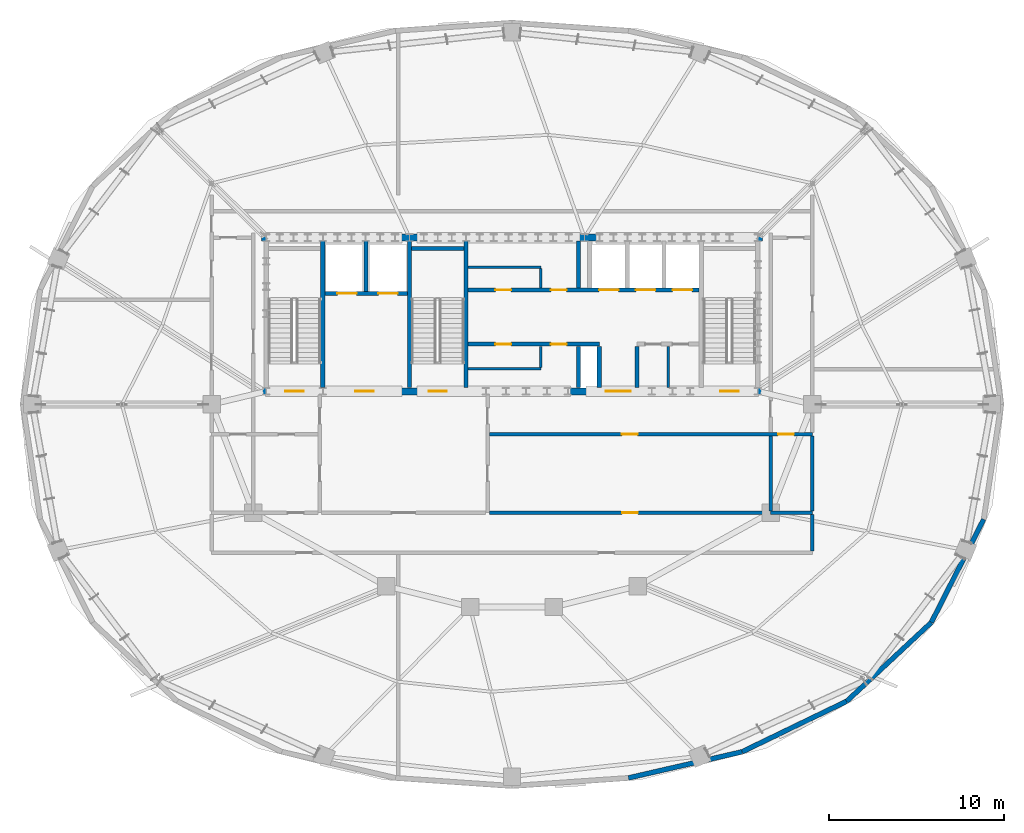
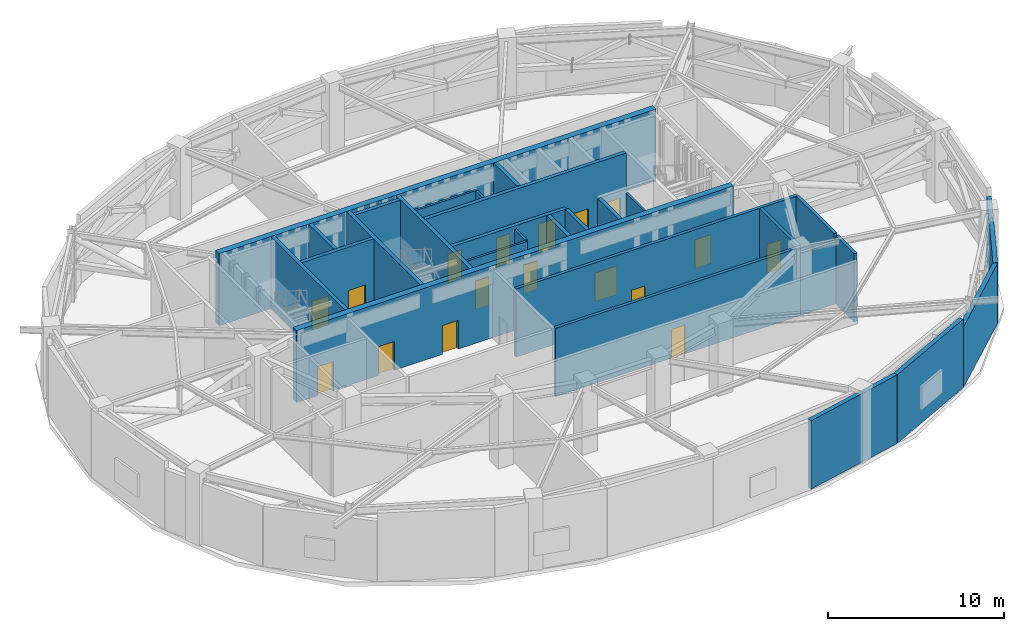
# One storey, part 15 of 20: 29 walls, 17 doors, 17 openings.
"""IFC4 building model written with IfcOpenShell, lengths in metres."""

from ifc_helpers import new_model, si_unit, direction, frame, frame_2d, origin, place, context, subcontext, project, spatial, rectangle, extrude, material, layer, layer_set, type_object, element, fill, save


model = new_model("IFC4")

# Units and contexts
model_context = context("Model", 3, precision=1e-05, world=origin(), true_north=direction((0.0, 1.0)))
body_context = subcontext(model_context, "Body", "Model", "MODEL_VIEW")
ifc_project = project(units=[si_unit("LENGTHUNIT", "METRE"), si_unit("AREAUNIT", "SQUARE_METRE"), si_unit("VOLUMEUNIT", "CUBIC_METRE"), si_unit("PLANEANGLEUNIT", "RADIAN"), si_unit("MASSUNIT", "GRAM", prefix="KILO")], contexts=[model_context])

# Site, building, storey
site_placement = place(None, origin())
site = spatial("IfcSite", under=ifc_project, at=site_placement, CompositionType="ELEMENT")
building_placement = place(site_placement, origin())
building = spatial("IfcBuilding", under=site, at=building_placement, Name="Haldorwick Loom Tower", CompositionType="ELEMENT")
storey_placement = place(building_placement, frame((0.0, 0.0, 222.10009765625)))
storey = spatial("IfcBuildingStorey", under=building, at=storey_placement, Name="L60", CompositionType="ELEMENT", Elevation=222.10009765625)

# Walls
ifc_material_1 = material(Name="Pressed Clay Face Brick and Insulated Masonry Backup Assembly", Category="masonry")
ifc_layer_1 = layer(ifc_material_1, 0.280029296875, Name="Pressed Clay Face Brick and Insulated Masonry Backup Assembly", Category="masonry")
ifc_layer_set_1 = layer_set([ifc_layer_1], Name="Pressed Clay Face Brick and Insulated Masonry Backup Assembly")
wall_type_1 = type_object("IfcWallType", Name="ARC-WL-EXT280", PredefinedType="STANDARD", material=ifc_layer_set_1)
wall_1_placement = place(storey_placement, frame((42.665283203125, 4.61279296875, 0.0), z_axis=(0.0, 0.0, 1.0), x_axis=(0.974557343474, 0.224138315065, 0.0)))
element("IfcWall", 1, at=wall_1_placement, inside=storey, type_object=wall_type_1, Name="L60 Brick Pier and Spandrel Wall 20", PredefinedType="STANDARD", context=body_context, shape_type="SweptSolid", body=[
    extrude(rectangle(XDim=6.676025390625, YDim=0.280029296875, at=frame_2d((3.337890625, 0.0))), origin(), (0.0, 0.0, 1.0), 4.760009765625),
])
wall_2_placement = place(storey_placement, frame((49.17138671875, 6.109130859375, 0.0), z_axis=(0.0, 0.0, 1.0), x_axis=(0.900371236029, 0.435122554381, 0.0)))
element("IfcWall", 2, at=wall_2_placement, inside=storey, type_object=wall_type_1, Name="L60 Brick Pier and Spandrel Wall 21", PredefinedType="STANDARD", context=body_context, shape_type="SweptSolid", body=[
    extrude(rectangle(XDim=6.6533203125, YDim=0.280029296875, at=frame_2d((3.32666015625, 0.0))), origin(), (0.0, 0.0, 1.0), 4.760009765625),
])
wall_3_placement = place(storey_placement, frame((55.161865234375, 9.004150390625, 0.0), z_axis=(0.0, 0.0, 1.0), x_axis=(0.731833707499, 0.681483253329, 0.0)))
element("IfcWall", 3, at=wall_3_placement, inside=storey, type_object=wall_type_1, Name="L60 Brick Pier and Spandrel Wall 22", PredefinedType="STANDARD", context=body_context, shape_type="SweptSolid", body=[
    extrude(rectangle(XDim=6.61865234375, YDim=0.280029296875, at=frame_2d((3.309326171875, 0.0))), origin(), (0.0, 0.0, 1.0), 4.19091796875),
])
wall_4_placement = place(storey_placement, frame((60.005615234375, 13.5146484375, 0.0), z_axis=(0.0, 0.0, 1.0), x_axis=(0.453032066879, 0.89149422117, 0.0)))
element("IfcWall", 4, at=wall_4_placement, inside=storey, type_object=wall_type_1, Name="L60 Brick Pier and Spandrel Wall 23", PredefinedType="STANDARD", context=body_context, shape_type="SweptSolid", body=[
    extrude(rectangle(XDim=6.618896484375, YDim=0.280029296875, at=frame_2d((3.3095703125, 0.0))), origin(), (0.0, 0.0, 1.0), 4.19091796875),
])

# Wall, openings, doors
ifc_material_2 = material(Name="Fire-Rated Type X Gypsum Stud Assembly EI 120")
ifc_layer_2 = layer(ifc_material_2, 0.199951171875, Name="Fire-Rated Type X Gypsum Stud Assembly EI 120")
ifc_layer_set_2 = layer_set([ifc_layer_2], Name="Fire-Rated Type X Gypsum Stud Assembly EI 120")
wall_type_2 = type_object("IfcWallType", Name="ARC-WL-FIRE200", PredefinedType="PARTITIONING", material=ifc_layer_set_2)
wall_5_placement = place(storey_placement, frame((34.702880859375, 24.300048828125, 0.0), z_axis=(0.0, 0.0, 1.0), x_axis=(1.0, 0.0, 0.0)))
wall_5 = element("IfcWall", 5, at=wall_5_placement, inside=storey, type_object=wall_type_2, Name="L60 Interior Partition L60-PC-S2", PredefinedType="PARTITIONING", context=body_context, shape_type="SweptSolid", body=[
    extrude(rectangle(XDim=18.4970703125, YDim=0.199951171875, at=frame_2d((9.24853515625, 0.0))), origin(), (0.0, 0.0, 1.0), 4.744873046875),
])
opening_1_placement = place(wall_5_placement, frame((7.58740234375, 0.0, 0.0)))
opening_1 = element("IfcOpeningElement", 6, at=opening_1_placement, cuts=wall_5, Name="Opening D-FD60A", PredefinedType="OPENING", context=body_context, shape_type="SweptSolid", body=[
    extrude(rectangle(XDim=0.89990234375, YDim=2.0, at=frame_2d((0.449951171875, 1.0))), frame((0.0, 0.10986328125, 0.0), z_axis=(0.0, -1.0, 0.0), x_axis=(1.0, 0.0, 0.0)), (0.0, 0.0, 1.0), 0.219970703125),
])
opening_2_placement = place(wall_5_placement, frame((16.53564453125, 0.0, 0.0)))
opening_2 = element("IfcOpeningElement", 7, at=opening_2_placement, cuts=wall_5, Name="Opening D-FD60A", PredefinedType="OPENING", context=body_context, shape_type="SweptSolid", body=[
    extrude(rectangle(XDim=0.89990234375, YDim=2.0, at=frame_2d((0.449951171875, 1.0))), frame((0.0, 0.10986328125, 0.0), z_axis=(0.0, -1.0, 0.0), x_axis=(1.0, 0.0, 0.0)), (0.0, 0.0, 1.0), 0.219970703125),
])
ifc_material_3 = material(Name="Hollow Steel Fire Door Assembly", Category="steel")
door_type_1 = type_object("IfcDoorType", Name="ARC-DR-FD60-90", OperationType="NOTDEFINED", PredefinedType="DOOR", material=ifc_material_3)
door_1_placement = place(opening_1_placement, origin())
door_1 = element("IfcDoor", 8, at=door_1_placement, inside=storey, type_object=door_type_1, Name="L60 East Plant Exit Corridor to Electrical Transformer Room 6 Door", OperationType="SINGLE_SWING_RIGHT", OverallHeight=2.0, OverallWidth=0.89990234375, PredefinedType="DOOR", context=body_context, shape_type="SweptSolid", body=[
    extrude(rectangle(XDim=0.89990234375, YDim=2.0, at=frame_2d((0.449951171875, 1.0))), frame((0.0, 0.02490234375, 0.0), z_axis=(0.0, -1.0, 0.0), x_axis=(1.0, 0.0, 0.0)), (0.0, 0.0, 1.0), 0.050048828125),
])
fill(opening_1, door_1)
door_2_placement = place(opening_2_placement, origin())
door_2 = element("IfcDoor", 9, at=door_2_placement, inside=storey, type_object=door_type_1, Name="L60 East Mechanical Corridor to Pump and Tank Plant 7 Door", OperationType="SINGLE_SWING_RIGHT", OverallHeight=2.0, OverallWidth=0.89990234375, PredefinedType="DOOR", context=body_context, shape_type="SweptSolid", body=[
    extrude(rectangle(XDim=0.89990234375, YDim=2.0, at=frame_2d((0.449951171875, 1.0))), frame((0.0, 0.02490234375, 0.0), z_axis=(0.0, -1.0, 0.0), x_axis=(1.0, 0.0, 0.0)), (0.0, 0.0, 1.0), 0.050048828125),
])
fill(opening_2, door_2)

# Wall
wall_6_placement = place(storey_placement, frame((50.800048828125, 19.800048828125, 0.0), z_axis=(0.0, 0.0, 1.0), x_axis=(1.0, 0.0, 0.0)))
element("IfcWall", 10, at=wall_6_placement, inside=storey, type_object=wall_type_2, Name="L60 Interior Partition L60-PC-S4E", PredefinedType="PARTITIONING", context=body_context, shape_type="SweptSolid", body=[
    extrude(rectangle(XDim=2.39990234375, YDim=0.199951171875, at=frame_2d((1.199951171875, 0.0))), origin(), (0.0, 0.0, 1.0), 4.322021484375),
])

# Wall, opening, door
wall_7_placement = place(storey_placement, frame((34.702880859375, 19.800048828125, 0.0), z_axis=(0.0, 0.0, 1.0), x_axis=(1.0, 0.0, 0.0)))
wall_7 = element("IfcWall", 11, at=wall_7_placement, inside=storey, type_object=wall_type_2, Name="L60 Interior Partition L60-PC-S4", PredefinedType="PARTITIONING", context=body_context, shape_type="SweptSolid", body=[
    extrude(rectangle(XDim=16.09716796875, YDim=0.199951171875, at=frame_2d((8.048583984375, 0.0))), origin(), (0.0, 0.0, 1.0), 4.744873046875),
])
opening_3_placement = place(wall_7_placement, frame((7.598388671875, 0.0, 0.0)))
opening_3 = element("IfcOpeningElement", 12, at=opening_3_placement, cuts=wall_7, Name="Opening D-FD60A", PredefinedType="OPENING", context=body_context, shape_type="SweptSolid", body=[
    extrude(rectangle(XDim=0.89990234375, YDim=2.0, at=frame_2d((0.449951171875, 1.0))), frame((0.0, 0.10986328125, 0.0), z_axis=(0.0, -1.0, 0.0), x_axis=(1.0, 0.0, 0.0)), (0.0, 0.0, 1.0), 0.219970703125),
])
door_3_placement = place(opening_3_placement, frame((0.89990234375, 0.0, 0.0), z_axis=(0.0, 0.0, 1.0), x_axis=(-1.0, 0.0, 0.0)))
door_3 = element("IfcDoor", 13, at=door_3_placement, inside=storey, type_object=door_type_1, Name="L60 Electrical Transformer Room 6 to South Plant Service Corridor Door", OperationType="SINGLE_SWING_LEFT", OverallHeight=2.0, OverallWidth=0.89990234375, PredefinedType="DOOR", context=body_context, shape_type="SweptSolid", body=[
    extrude(rectangle(XDim=0.89990234375, YDim=2.0, at=frame_2d((0.449951171875, 1.0))), frame((0.0, 0.02490234375, 0.0), z_axis=(0.0, -1.0, 0.0), x_axis=(1.0, 0.0, 0.0)), (0.0, 0.0, 1.0), 0.050048828125),
])
fill(opening_3, door_3)

# Walls
wall_8_placement = place(storey_placement, frame((53.199951171875, 17.60302734375, 0.0), z_axis=(0.0, 0.0, 1.0), x_axis=(0.0, 1.0, 0.0)))
element("IfcWall", 14, at=wall_8_placement, inside=storey, type_object=wall_type_2, Name="L60 Interior Partition L60-PC-E1", PredefinedType="PARTITIONING", context=body_context, shape_type="SweptSolid", body=[
    extrude(rectangle(XDim=2.093994140625, YDim=0.199951171875, at=frame_2d((1.046875, 0.0))), origin(), (0.0, 0.0, 1.0), 4.744873046875),
])
for number, where, z_axis, x_axis, name in (
    (15, (53.199951171875, 19.903076171875, 0.0), (0.0, 0.0, 1.0), (0.0, 1.0, 0.0), "L60 Interior Partition L60-PC-E1"),
    (16, (50.800048828125, 19.903076171875, 0.0), (0.0, 0.0, 1.0), (0.0, 1.0, 0.0), "L60 Interior Partition L60-PC-E2"),
):
    element("IfcWall", number, at=place(storey_placement, frame(where, z_axis=z_axis, x_axis=x_axis)), inside=storey, type_object=wall_type_2, Name=name, PredefinedType="PARTITIONING", context=body_context, shape_type="SweptSolid", body=[
        extrude(rectangle(XDim=4.2939453125, YDim=0.199951171875, at=frame_2d((2.14697265625, 0.0))), origin(), (0.0, 0.0, 1.0), 4.744873046875),
    ])
ifc_material_4 = material(Name="Fire-Rated Type X Gypsum Stud Assembly EI 60")
ifc_layer_3 = layer(ifc_material_4, 0.139892578125, Name="Fire-Rated Type X Gypsum Stud Assembly EI 60")
ifc_layer_set_3 = layer_set([ifc_layer_3], Name="Fire-Rated Type X Gypsum Stud Assembly EI 60")
wall_type_3 = type_object("IfcWallType", Name="ARC-WL-PART140", PredefinedType="PARTITIONING", material=ifc_layer_set_3)
wall_9_placement = place(storey_placement, frame((33.492919921875, 33.85009765625, 0.0), z_axis=(0.0, 0.0, 1.0), x_axis=(1.0, 0.0, 0.0)))
element("IfcWall", 17, at=wall_9_placement, inside=storey, type_object=wall_type_3, Name="L60 Storage South Partition", PredefinedType="PARTITIONING", context=body_context, shape_type="SweptSolid", body=[
    extrude(rectangle(XDim=4.156982421875, YDim=0.139892578125, at=frame_2d((2.07861328125, 0.0))), origin(), (0.0, 0.0, 1.0), 4.744873046875),
])
wall_10_placement = place(storey_placement, frame((37.64990234375, 32.673095703125, 0.0), z_axis=(0.0, 0.0, 1.0), x_axis=(0.0, 1.0, 0.0)))
element("IfcWall", 18, at=wall_10_placement, inside=storey, type_object=wall_type_3, Name="L60 Storage East Partition", PredefinedType="PARTITIONING", context=body_context, shape_type="SweptSolid", body=[
    extrude(rectangle(XDim=1.10400390625, YDim=0.139892578125, at=frame_2d((0.552001953125, 0.0))), origin(), (0.0, 0.0, 1.0), 4.744873046875),
])
wall_11_placement = place(storey_placement, frame((33.492919921875, 28.050048828125, 0.0), z_axis=(0.0, 0.0, 1.0), x_axis=(1.0, 0.0, 0.0)))
element("IfcWall", 19, at=wall_11_placement, inside=storey, type_object=wall_type_3, Name="L60 Mid-Bank North Partition", PredefinedType="PARTITIONING", context=body_context, shape_type="SweptSolid", body=[
    extrude(rectangle(XDim=4.156982421875, YDim=0.139892578125, at=frame_2d((2.07861328125, 0.0))), origin(), (0.0, 0.0, 1.0), 4.744873046875),
])
wall_12_placement = place(storey_placement, frame((37.64990234375, 28.123046875, 0.0), z_axis=(0.0, 0.0, 1.0), x_axis=(0.0, 1.0, 0.0)))
element("IfcWall", 20, at=wall_12_placement, inside=storey, type_object=wall_type_3, Name="L60 Mid-Bank East Partition", PredefinedType="PARTITIONING", context=body_context, shape_type="SweptSolid", body=[
    extrude(rectangle(XDim=1.203857421875, YDim=0.139892578125, at=frame_2d((0.60205078125, 0.0))), origin(), (0.0, 0.0, 1.0), 4.744873046875),
])
wall_13_placement = place(storey_placement, frame((44.949951171875, 26.952880859375, 0.0), z_axis=(0.0, 0.0, 1.0), x_axis=(0.0, 1.0, 0.0)))
element("IfcWall", 21, at=wall_13_placement, inside=storey, type_object=wall_type_3, Name="L60 Service Partition", PredefinedType="PARTITIONING", context=body_context, shape_type="SweptSolid", body=[
    extrude(rectangle(XDim=2.3740234375, YDim=0.139892578125, at=frame_2d((1.18701171875, 0.0))), origin(), (0.0, 0.0, 1.0), 4.744873046875),
])

# Wall, openings, doors
ifc_material_5 = material(Name="Concrete C50 (50 MPa)", Category="concrete")
ifc_layer_4 = layer(ifc_material_5, 0.39990234375, Name="Concrete C50 (50 MPa)", Category="concrete")
ifc_layer_set_4 = layer_set([ifc_layer_4], Name="Concrete C50 (50 MPa)")
wall_type_4 = type_object("IfcWallType", Name="STR-WL-CORE400", PredefinedType="SHEAR", material=ifc_layer_set_4)
wall_14_placement = place(storey_placement, frame((21.64990234375, 26.75, 0.0), z_axis=(0.0, 0.0, 1.0), x_axis=(1.0, 0.0, 0.0)))
wall_14 = element("IfcWall", 22, at=wall_14_placement, inside=storey, type_object=wall_type_4, Name="L60 Core Shear Wall S", PredefinedType="SHEAR", context=body_context, shape_type="SweptSolid", body=[
    extrude(rectangle(XDim=28.7001953125, YDim=0.39990234375, at=frame_2d((14.35009765625, 0.0))), origin(), (0.0, 0.0, 1.0), 5.0),
])
opening_4_placement = place(wall_14_placement, frame((1.375, 0.0, 0.0)))
opening_4 = element("IfcOpeningElement", 23, at=opening_4_placement, cuts=wall_14, Name="Opening D-FD60", PredefinedType="OPENING", context=body_context, shape_type="SweptSolid", body=[
    extrude(rectangle(XDim=1.050048828125, YDim=2.0, at=frame_2d((0.52490234375, 1.0))), frame((0.0, 0.2099609375, 0.0), z_axis=(0.0, -1.0, 0.0), x_axis=(1.0, 0.0, 0.0)), (0.0, 0.0, 1.0), 0.419921875),
])
opening_5_placement = place(wall_14_placement, frame((5.375, 0.0, 0.0)))
opening_5 = element("IfcOpeningElement", 24, at=opening_5_placement, cuts=wall_14, Name="Opening D-FD60", PredefinedType="OPENING", context=body_context, shape_type="SweptSolid", body=[
    extrude(rectangle(XDim=1.050048828125, YDim=2.0, at=frame_2d((0.52490234375, 1.0))), frame((0.0, 0.2099609375, 0.0), z_axis=(0.0, -1.0, 0.0), x_axis=(1.0, 0.0, 0.0)), (0.0, 0.0, 1.0), 0.419921875),
])
opening_6_placement = place(wall_14_placement, frame((9.574951171875, 0.0, 0.0)))
opening_6 = element("IfcOpeningElement", 25, at=opening_6_placement, cuts=wall_14, Name="Opening D-FD60", PredefinedType="OPENING", context=body_context, shape_type="SweptSolid", body=[
    extrude(rectangle(XDim=1.050048828125, YDim=2.0, at=frame_2d((0.52490234375, 1.0))), frame((0.0, 0.2099609375, 0.0), z_axis=(0.0, -1.0, 0.0), x_axis=(1.0, 0.0, 0.0)), (0.0, 0.0, 1.0), 0.419921875),
])
opening_7_placement = place(wall_14_placement, frame((19.705078125, 0.0, 0.0)))
opening_7 = element("IfcOpeningElement", 26, at=opening_7_placement, cuts=wall_14, Name="Opening D-LB15", PredefinedType="OPENING", context=body_context, shape_type="SweptSolid", body=[
    extrude(rectangle(XDim=1.449951171875, YDim=2.0, at=frame_2d((0.72509765625, 1.0))), frame((0.0, 0.2099609375, 0.0), z_axis=(0.0, -1.0, 0.0), x_axis=(1.0, 0.0, 0.0)), (0.0, 0.0, 1.0), 0.419921875),
])
opening_8_placement = place(wall_14_placement, frame((26.27490234375, 0.0, 0.0)))
opening_8 = element("IfcOpeningElement", 27, at=opening_8_placement, cuts=wall_14, Name="Opening D-FD60", PredefinedType="OPENING", context=body_context, shape_type="SweptSolid", body=[
    extrude(rectangle(XDim=1.050048828125, YDim=2.0, at=frame_2d((0.52490234375, 1.0))), frame((0.0, 0.2099609375, 0.0), z_axis=(0.0, -1.0, 0.0), x_axis=(1.0, 0.0, 0.0)), (0.0, 0.0, 1.0), 0.419921875),
])
door_type_2 = type_object("IfcDoorType", Name="ARC-DR-FD60", OperationType="NOTDEFINED", PredefinedType="DOOR", material=ifc_material_3)
door_4_placement = place(opening_4_placement, origin())
door_4 = element("IfcDoor", 28, at=door_4_placement, inside=storey, type_object=door_type_2, Name="L60 Exit Stair ST-01 Fire Door", OperationType="SINGLE_SWING_RIGHT", OverallHeight=2.0, OverallWidth=1.050048828125, PredefinedType="DOOR", context=body_context, shape_type="SweptSolid", body=[
    extrude(rectangle(XDim=1.050048828125, YDim=2.0, at=frame_2d((0.52490234375, 1.0))), frame((0.0, 0.02490234375, 0.0), z_axis=(0.0, -1.0, 0.0), x_axis=(1.0, 0.0, 0.0)), (0.0, 0.0, 1.0), 0.050048828125),
])
fill(opening_4, door_4)
door_5_placement = place(opening_5_placement, origin())
door_5 = element("IfcDoor", 29, at=door_5_placement, inside=storey, type_object=door_type_2, Name="L60 Firefighting Lift Lobby Fire Door", OperationType="SINGLE_SWING_LEFT", OverallHeight=2.0, OverallWidth=1.050048828125, PredefinedType="DOOR", context=body_context, shape_type="SweptSolid", body=[
    extrude(rectangle(XDim=1.050048828125, YDim=2.0, at=frame_2d((0.52490234375, 1.0))), frame((0.0, 0.02490234375, 0.0), z_axis=(0.0, -1.0, 0.0), x_axis=(1.0, 0.0, 0.0)), (0.0, 0.0, 1.0), 0.050048828125),
])
fill(opening_5, door_5)
door_6_placement = place(opening_6_placement, origin())
door_6 = element("IfcDoor", 30, at=door_6_placement, inside=storey, type_object=door_type_2, Name="L60 Exit Stair ST-03 Fire Door", OperationType="SINGLE_SWING_LEFT", OverallHeight=2.0, OverallWidth=1.050048828125, PredefinedType="DOOR", context=body_context, shape_type="SweptSolid", body=[
    extrude(rectangle(XDim=1.050048828125, YDim=2.0, at=frame_2d((0.52490234375, 1.0))), frame((0.0, 0.02490234375, 0.0), z_axis=(0.0, -1.0, 0.0), x_axis=(1.0, 0.0, 0.0)), (0.0, 0.0, 1.0), 0.050048828125),
])
fill(opening_6, door_6)
door_7_placement = place(opening_8_placement, origin())
door_7 = element("IfcDoor", 31, at=door_7_placement, inside=storey, type_object=door_type_2, Name="L60 Exit Stair ST-02 Fire Door", OperationType="SINGLE_SWING_LEFT", OverallHeight=2.0, OverallWidth=1.050048828125, PredefinedType="DOOR", context=body_context, shape_type="SweptSolid", body=[
    extrude(rectangle(XDim=1.050048828125, YDim=2.0, at=frame_2d((0.52490234375, 1.0))), frame((0.0, 0.02490234375, 0.0), z_axis=(0.0, -1.0, 0.0), x_axis=(1.0, 0.0, 0.0)), (0.0, 0.0, 1.0), 0.050048828125),
])
fill(opening_8, door_7)
ifc_material_6 = material(Name="Thermally Broken Anodized Aluminium and Tempered Glass", Category="aluminium")
door_type_3 = type_object("IfcDoorType", Name="ARC-DR-LOB150", OperationType="NOTDEFINED", PredefinedType="DOOR", material=ifc_material_6)
door_8_placement = place(opening_7_placement, frame((1.449951171875, 0.0, 0.0), z_axis=(0.0, 0.0, 1.0), x_axis=(-1.0, 0.0, 0.0)))
door_8 = element("IfcDoor", 32, at=door_8_placement, inside=storey, type_object=door_type_3, Name="L60 Passenger Lift Lobby Fire Door", OperationType="DOUBLE_DOOR_SINGLE_SWING", OverallHeight=2.0, OverallWidth=1.449951171875, PredefinedType="DOOR", context=body_context, shape_type="SweptSolid", body=[
    extrude(rectangle(XDim=1.449951171875, YDim=2.0, at=frame_2d((0.72509765625, 1.0))), frame((0.0, 0.02490234375, 0.0), z_axis=(0.0, -1.0, 0.0), x_axis=(1.0, 0.0, 0.0)), (0.0, 0.0, 1.0), 0.050048828125),
])
fill(opening_7, door_8)

# Walls
wall_15_placement = place(storey_placement, frame((50.35009765625, 35.550048828125, 0.0), z_axis=(0.0, 0.0, 1.0), x_axis=(-1.0, 0.0, 0.0)))
element("IfcWall", 33, at=wall_15_placement, inside=storey, type_object=wall_type_4, Name="L60 Core Shear Wall N", PredefinedType="SHEAR", context=body_context, shape_type="SweptSolid", body=[
    extrude(rectangle(XDim=28.7001953125, YDim=0.39990234375, at=frame_2d((14.35009765625, 0.0))), origin(), (0.0, 0.0, 1.0), 5.0),
])
ifc_layer_5 = layer(ifc_material_5, 0.239990234375, Name="Concrete C50 (50 MPa)", Category="concrete")
ifc_layer_set_5 = layer_set([ifc_layer_5], Name="Concrete C50 (50 MPa)")
wall_type_5 = type_object("IfcWallType", Name="STR-WL-SHAFT240", PredefinedType="SHEAR", material=ifc_layer_set_5)
for number, where, z_axis, x_axis, name in (
    (34, (25.169921875, 26.952880859375, 0.0), (0.0, 0.0, 1.0), (0.0, 1.0, 0.0), "L60 Core Shear Wall 1"),
    (35, (30.1298828125, 26.952880859375, 0.0), (0.0, 0.0, 1.0), (0.0, 1.0, 0.0), "L60 Core Shear Wall 2"),
    (36, (33.3701171875, 26.952880859375, 0.0), (0.0, 0.0, 1.0), (0.0, 1.0, 0.0), "L60 Core Shear Wall 3"),
):
    element("IfcWall", number, at=place(storey_placement, frame(where, z_axis=z_axis, x_axis=x_axis)), inside=storey, type_object=wall_type_5, Name=name, PredefinedType="SHEAR", context=body_context, shape_type="SweptSolid", body=[
        extrude(rectangle(XDim=8.39404296875, YDim=0.239990234375, at=frame_2d((4.197021484375, 0.0))), origin(), (0.0, 0.0, 1.0), 5.0),
    ])
wall_16_placement = place(storey_placement, frame((30.2529296875, 34.919921875, 0.0), z_axis=(0.0, 0.0, 1.0), x_axis=(1.0, 0.0, 0.0)))
element("IfcWall", 37, at=wall_16_placement, inside=storey, type_object=wall_type_5, Name="L60 Core Shear Wall 3N", PredefinedType="SHEAR", context=body_context, shape_type="SweptSolid", body=[
    extrude(rectangle(XDim=2.994140625, YDim=0.239990234375, at=frame_2d((1.4970703125, 0.0))), origin(), (0.0, 0.0, 1.0), 5.0),
])

# Wall, openings, doors
wall_17_placement = place(storey_placement, frame((25.29296875, 32.35009765625, 0.0), z_axis=(0.0, 0.0, 1.0), x_axis=(1.0, 0.0, 0.0)))
wall_17 = element("IfcWall", 38, at=wall_17_placement, inside=storey, type_object=wall_type_5, Name="L60 Core Shear Wall FF", PredefinedType="SHEAR", context=body_context, shape_type="SweptSolid", body=[
    extrude(rectangle(XDim=4.714111328125, YDim=0.239990234375, at=frame_2d((2.35693359375, 0.0))), origin(), (0.0, 0.0, 1.0), 5.0),
])
opening_9_placement = place(wall_17_placement, frame((0.70703125, 0.0, 0.0)))
opening_9 = element("IfcOpeningElement", 39, at=opening_9_placement, cuts=wall_17, Name="Opening LD-FF1", PredefinedType="OPENING", context=body_context, shape_type="SweptSolid", body=[
    extrude(rectangle(XDim=1.10009765625, YDim=2.0, at=frame_2d((0.550048828125, 1.0))), frame((0.0, 0.1298828125, 0.0), z_axis=(0.0, -1.0, 0.0), x_axis=(1.0, 0.0, 0.0)), (0.0, 0.0, 1.0), 0.260009765625),
])
opening_10_placement = place(wall_17_placement, frame((3.056884765625, 0.0, 0.0)))
opening_10 = element("IfcOpeningElement", 40, at=opening_10_placement, cuts=wall_17, Name="Opening LD-FF2", PredefinedType="OPENING", context=body_context, shape_type="SweptSolid", body=[
    extrude(rectangle(XDim=1.10009765625, YDim=2.0, at=frame_2d((0.550048828125, 1.0))), frame((0.0, 0.1298828125, 0.0), z_axis=(0.0, -1.0, 0.0), x_axis=(1.0, 0.0, 0.0)), (0.0, 0.0, 1.0), 0.260009765625),
])
door_type_4 = type_object("IfcDoorType", Name="ARC-DR-LD-FF", OperationType="NOTDEFINED", PredefinedType="USERDEFINED", material=ifc_material_3)
door_9_placement = place(opening_9_placement, origin())
door_9 = element("IfcDoor", 41, at=door_9_placement, inside=storey, type_object=door_type_4, Name="L60 Lift LF-FF1 Sliding Landing Door", ObjectType="LANDING DOOR", OperationType="DOUBLE_DOOR_SLIDING", OverallHeight=2.0, OverallWidth=1.10009765625, PredefinedType="USERDEFINED", context=body_context, shape_type="SweptSolid", body=[
    extrude(rectangle(XDim=1.10009765625, YDim=2.0, at=frame_2d((0.550048828125, 1.0))), frame((0.0, 0.02490234375, 0.0), z_axis=(0.0, -1.0, 0.0), x_axis=(1.0, 0.0, 0.0)), (0.0, 0.0, 1.0), 0.050048828125),
])
fill(opening_9, door_9)
door_10_placement = place(opening_10_placement, origin())
door_10 = element("IfcDoor", 42, at=door_10_placement, inside=storey, type_object=door_type_4, Name="L60 Lift LF-FF2 Sliding Landing Door", ObjectType="LANDING DOOR", OperationType="DOUBLE_DOOR_SLIDING", OverallHeight=2.0, OverallWidth=1.10009765625, PredefinedType="USERDEFINED", context=body_context, shape_type="SweptSolid", body=[
    extrude(rectangle(XDim=1.10009765625, YDim=2.0, at=frame_2d((0.550048828125, 1.0))), frame((0.0, 0.02490234375, 0.0), z_axis=(0.0, -1.0, 0.0), x_axis=(1.0, 0.0, 0.0)), (0.0, 0.0, 1.0), 0.050048828125),
])
fill(opening_10, door_10)

# Wall
wall_18_placement = place(storey_placement, frame((27.64990234375, 32.472900390625, 0.0), z_axis=(0.0, 0.0, 1.0), x_axis=(0.0, 1.0, 0.0)))
element("IfcWall", 43, at=wall_18_placement, inside=storey, type_object=wall_type_5, Name="L60 Core Shear Wall FFD", PredefinedType="SHEAR", context=body_context, shape_type="SweptSolid", body=[
    extrude(rectangle(XDim=2.8740234375, YDim=0.239990234375, at=frame_2d((1.43701171875, 0.0))), origin(), (0.0, 0.0, 1.0), 5.0),
])

# Wall, openings, doors
wall_19_placement = place(storey_placement, frame((33.492919921875, 32.550048828125, 0.0), z_axis=(0.0, 0.0, 1.0), x_axis=(1.0, 0.0, 0.0)))
wall_19 = element("IfcWall", 44, at=wall_19_placement, inside=storey, type_object=wall_type_5, Name="L60 Core Shear Wall LN", PredefinedType="SHEAR", context=body_context, shape_type="SweptSolid", body=[
    extrude(rectangle(XDim=13.214111328125, YDim=0.239990234375, at=frame_2d((6.60693359375, 0.0))), origin(), (0.0, 0.0, 1.0), 5.0),
])
opening_11_placement = place(wall_19_placement, frame((1.556884765625, 0.0, 0.0)))
opening_11 = element("IfcOpeningElement", 45, at=opening_11_placement, cuts=wall_19, Name="Opening D-FD60A", PredefinedType="OPENING", context=body_context, shape_type="SweptSolid", body=[
    extrude(rectangle(XDim=0.89990234375, YDim=2.0, at=frame_2d((0.449951171875, 1.0))), frame((0.0, 0.1298828125, 0.0), z_axis=(0.0, -1.0, 0.0), x_axis=(1.0, 0.0, 0.0)), (0.0, 0.0, 1.0), 0.260009765625),
])
opening_12_placement = place(wall_19_placement, frame((4.737060546875, 0.0, 0.0)))
opening_12 = element("IfcOpeningElement", 46, at=opening_12_placement, cuts=wall_19, Name="Opening D-FD60A", PredefinedType="OPENING", context=body_context, shape_type="SweptSolid", body=[
    extrude(rectangle(XDim=0.89990234375, YDim=2.0, at=frame_2d((0.449951171875, 1.0))), frame((0.0, 0.1298828125, 0.0), z_axis=(0.0, -1.0, 0.0), x_axis=(1.0, 0.0, 0.0)), (0.0, 0.0, 1.0), 0.260009765625),
])
opening_13_placement = place(wall_19_placement, frame((7.4970703125, 0.0, 0.0)))
opening_13 = element("IfcOpeningElement", 47, at=opening_13_placement, cuts=wall_19, Name="Opening LD-H1", PredefinedType="OPENING", context=body_context, shape_type="SweptSolid", body=[
    extrude(rectangle(XDim=1.1201171875, YDim=2.0, at=frame_2d((0.56005859375, 1.0))), frame((0.0, 0.1298828125, 0.0), z_axis=(0.0, -1.0, 0.0), x_axis=(1.0, 0.0, 0.0)), (0.0, 0.0, 1.0), 0.260009765625),
])
opening_14_placement = place(wall_19_placement, frame((9.596923828125, 0.0, 0.0)))
opening_14 = element("IfcOpeningElement", 48, at=opening_14_placement, cuts=wall_19, Name="Opening LD-H2", PredefinedType="OPENING", context=body_context, shape_type="SweptSolid", body=[
    extrude(rectangle(XDim=1.1201171875, YDim=2.0, at=frame_2d((0.56005859375, 1.0))), frame((0.0, 0.1298828125, 0.0), z_axis=(0.0, -1.0, 0.0), x_axis=(1.0, 0.0, 0.0)), (0.0, 0.0, 1.0), 0.260009765625),
])
opening_15_placement = place(wall_19_placement, frame((11.697021484375, 0.0, 0.0)))
opening_15 = element("IfcOpeningElement", 49, at=opening_15_placement, cuts=wall_19, Name="Opening LD-H3", PredefinedType="OPENING", context=body_context, shape_type="SweptSolid", body=[
    extrude(rectangle(XDim=1.1201171875, YDim=2.0, at=frame_2d((0.56005859375, 1.0))), frame((0.0, 0.1298828125, 0.0), z_axis=(0.0, -1.0, 0.0), x_axis=(1.0, 0.0, 0.0)), (0.0, 0.0, 1.0), 0.260009765625),
])
door_11_placement = place(opening_11_placement, frame((0.89990234375, 0.0, 0.0), z_axis=(0.0, 0.0, 1.0), x_axis=(-1.0, 0.0, 0.0)))
door_11 = element("IfcDoor", 50, at=door_11_placement, inside=storey, type_object=door_type_1, Name="L60 Resident Storage Door", OperationType="SINGLE_SWING_LEFT", OverallHeight=2.0, OverallWidth=0.89990234375, PredefinedType="DOOR", context=body_context, shape_type="SweptSolid", body=[
    extrude(rectangle(XDim=0.89990234375, YDim=2.0, at=frame_2d((0.449951171875, 1.0))), frame((0.0, 0.02490234375, 0.0), z_axis=(0.0, -1.0, 0.0), x_axis=(1.0, 0.0, 0.0)), (0.0, 0.0, 1.0), 0.050048828125),
])
fill(opening_11, door_11)
door_12_placement = place(opening_12_placement, frame((0.89990234375, 0.0, 0.0), z_axis=(0.0, 0.0, 1.0), x_axis=(-1.0, 0.0, 0.0)))
door_12 = element("IfcDoor", 51, at=door_12_placement, inside=storey, type_object=door_type_1, Name="L60 Laundry Door", OperationType="SINGLE_SWING_RIGHT", OverallHeight=2.0, OverallWidth=0.89990234375, PredefinedType="DOOR", context=body_context, shape_type="SweptSolid", body=[
    extrude(rectangle(XDim=0.89990234375, YDim=2.0, at=frame_2d((0.449951171875, 1.0))), frame((0.0, 0.02490234375, 0.0), z_axis=(0.0, -1.0, 0.0), x_axis=(1.0, 0.0, 0.0)), (0.0, 0.0, 1.0), 0.050048828125),
])
fill(opening_12, door_12)
door_type_5 = type_object("IfcDoorType", Name="ARC-DR-LD-PAX", OperationType="NOTDEFINED", PredefinedType="USERDEFINED", material=ifc_material_3)
door_13_placement = place(opening_13_placement, origin())
door_13 = element("IfcDoor", 52, at=door_13_placement, inside=storey, type_object=door_type_5, Name="L60 Lift LF-H1 Sliding Landing Door", ObjectType="LANDING DOOR", OperationType="DOUBLE_DOOR_SLIDING", OverallHeight=2.0, OverallWidth=1.1201171875, PredefinedType="USERDEFINED", context=body_context, shape_type="SweptSolid", body=[
    extrude(rectangle(XDim=1.1201171875, YDim=2.0, at=frame_2d((0.56005859375, 1.0))), frame((0.0, 0.02490234375, 0.0), z_axis=(0.0, -1.0, 0.0), x_axis=(1.0, 0.0, 0.0)), (0.0, 0.0, 1.0), 0.050048828125),
])
fill(opening_13, door_13)
door_14_placement = place(opening_14_placement, origin())
door_14 = element("IfcDoor", 53, at=door_14_placement, inside=storey, type_object=door_type_5, Name="L60 Lift LF-H2 Sliding Landing Door", ObjectType="LANDING DOOR", OperationType="DOUBLE_DOOR_SLIDING", OverallHeight=2.0, OverallWidth=1.1201171875, PredefinedType="USERDEFINED", context=body_context, shape_type="SweptSolid", body=[
    extrude(rectangle(XDim=1.1201171875, YDim=2.0, at=frame_2d((0.56005859375, 1.0))), frame((0.0, 0.02490234375, 0.0), z_axis=(0.0, -1.0, 0.0), x_axis=(1.0, 0.0, 0.0)), (0.0, 0.0, 1.0), 0.050048828125),
])
fill(opening_14, door_14)
door_15_placement = place(opening_15_placement, origin())
door_15 = element("IfcDoor", 54, at=door_15_placement, inside=storey, type_object=door_type_5, Name="L60 Lift LF-H3 Sliding Landing Door", ObjectType="LANDING DOOR", OperationType="DOUBLE_DOOR_SLIDING", OverallHeight=2.0, OverallWidth=1.1201171875, PredefinedType="USERDEFINED", context=body_context, shape_type="SweptSolid", body=[
    extrude(rectangle(XDim=1.1201171875, YDim=2.0, at=frame_2d((0.56005859375, 1.0))), frame((0.0, 0.02490234375, 0.0), z_axis=(0.0, -1.0, 0.0), x_axis=(1.0, 0.0, 0.0)), (0.0, 0.0, 1.0), 0.050048828125),
])
fill(opening_15, door_15)

wall_20_placement = place(storey_placement, frame((33.492919921875, 29.449951171875, 0.0), z_axis=(0.0, 0.0, 1.0), x_axis=(1.0, 0.0, 0.0)))
wall_20 = element("IfcWall", 55, at=wall_20_placement, inside=storey, type_object=wall_type_5, Name="L60 Core Shear Wall LS1", PredefinedType="SHEAR", context=body_context, shape_type="SweptSolid", body=[
    extrude(rectangle(XDim=7.507080078125, YDim=0.239990234375, at=frame_2d((3.75341796875, 0.0))), origin(), (0.0, 0.0, 1.0), 5.0),
])
opening_16_placement = place(wall_20_placement, frame((1.556884765625, 0.0, 0.0)))
opening_16 = element("IfcOpeningElement", 56, at=opening_16_placement, cuts=wall_20, Name="Opening D-FD60A", PredefinedType="OPENING", context=body_context, shape_type="SweptSolid", body=[
    extrude(rectangle(XDim=0.89990234375, YDim=2.0, at=frame_2d((0.449951171875, 1.0))), frame((0.0, 0.1298828125, 0.0), z_axis=(0.0, -1.0, 0.0), x_axis=(1.0, 0.0, 0.0)), (0.0, 0.0, 1.0), 0.260009765625),
])
opening_17_placement = place(wall_20_placement, frame((4.737060546875, 0.0, 0.0)))
opening_17 = element("IfcOpeningElement", 57, at=opening_17_placement, cuts=wall_20, Name="Opening D-FD60A", PredefinedType="OPENING", context=body_context, shape_type="SweptSolid", body=[
    extrude(rectangle(XDim=0.89990234375, YDim=2.0, at=frame_2d((0.449951171875, 1.0))), frame((0.0, 0.1298828125, 0.0), z_axis=(0.0, -1.0, 0.0), x_axis=(1.0, 0.0, 0.0)), (0.0, 0.0, 1.0), 0.260009765625),
])
door_16_placement = place(opening_16_placement, origin())
door_16 = element("IfcDoor", 58, at=door_16_placement, inside=storey, type_object=door_type_1, Name="L60 Sky Storage Door", OperationType="SINGLE_SWING_LEFT", OverallHeight=2.0, OverallWidth=0.89990234375, PredefinedType="DOOR", context=body_context, shape_type="SweptSolid", body=[
    extrude(rectangle(XDim=0.89990234375, YDim=2.0, at=frame_2d((0.449951171875, 1.0))), frame((0.0, 0.02490234375, 0.0), z_axis=(0.0, -1.0, 0.0), x_axis=(1.0, 0.0, 0.0)), (0.0, 0.0, 1.0), 0.050048828125),
])
fill(opening_16, door_16)
door_17_placement = place(opening_17_placement, origin())
door_17 = element("IfcDoor", 59, at=door_17_placement, inside=storey, type_object=door_type_1, Name="L60 Communications Door", OperationType="SINGLE_SWING_RIGHT", OverallHeight=2.0, OverallWidth=0.89990234375, PredefinedType="DOOR", context=body_context, shape_type="SweptSolid", body=[
    extrude(rectangle(XDim=0.89990234375, YDim=2.0, at=frame_2d((0.449951171875, 1.0))), frame((0.0, 0.02490234375, 0.0), z_axis=(0.0, -1.0, 0.0), x_axis=(1.0, 0.0, 0.0)), (0.0, 0.0, 1.0), 0.050048828125),
])
fill(opening_17, door_17)

# Walls
for number, where, z_axis, x_axis, name in (
    (60, (41.0, 26.952880859375, 0.0), (0.0, 0.0, 1.0), (0.0, 1.0, 0.0), "L60 Core Shear Wall THW"),
    (61, (43.14990234375, 26.952880859375, 0.0), (0.0, 0.0, 1.0), (0.0, 1.0, 0.0), "L60 Core Shear Wall THE"),
):
    element("IfcWall", number, at=place(storey_placement, frame(where, z_axis=z_axis, x_axis=x_axis)), inside=storey, type_object=wall_type_5, Name=name, PredefinedType="SHEAR", context=body_context, shape_type="SweptSolid", body=[
        extrude(rectangle(XDim=2.3740234375, YDim=0.239990234375, at=frame_2d((1.18701171875, 0.0))), origin(), (0.0, 0.0, 1.0), 5.0),
    ])
wall_21_placement = place(storey_placement, frame((39.800048828125, 32.673095703125, 0.0), z_axis=(0.0, 0.0, 1.0), x_axis=(0.0, 1.0, 0.0)))
element("IfcWall", 62, at=wall_21_placement, inside=storey, type_object=wall_type_5, Name="L60 Core Shear Wall LHW", PredefinedType="SHEAR", context=body_context, shape_type="SweptSolid", body=[
    extrude(rectangle(XDim=2.673828125, YDim=0.239990234375, at=frame_2d((1.3369140625, 0.0))), origin(), (0.0, 0.0, 1.0), 5.0),
])
wall_22_placement = place(storey_placement, frame((39.800048828125, 26.952880859375, 0.0), z_axis=(0.0, 0.0, 1.0), x_axis=(0.0, 1.0, 0.0)))
element("IfcWall", 63, at=wall_22_placement, inside=storey, type_object=wall_type_5, Name="L60 Core Shear Wall MRW", PredefinedType="SHEAR", context=body_context, shape_type="SweptSolid", body=[
    extrude(rectangle(XDim=2.3740234375, YDim=0.239990234375, at=frame_2d((1.18701171875, 0.0))), origin(), (0.0, 0.0, 1.0), 5.0),
])

save(model, "model.ifc")
